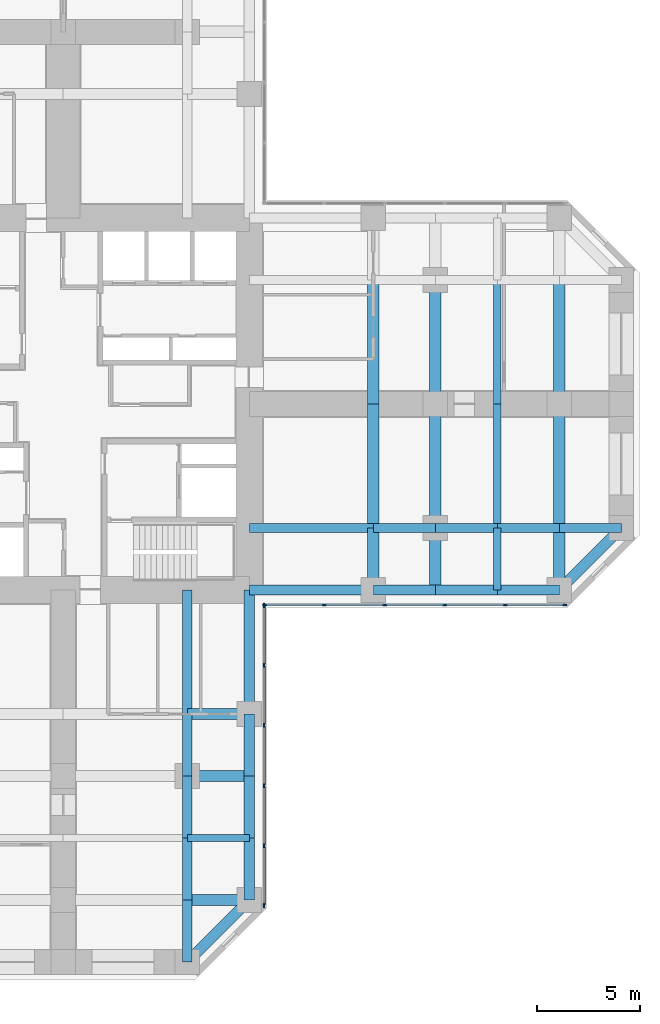
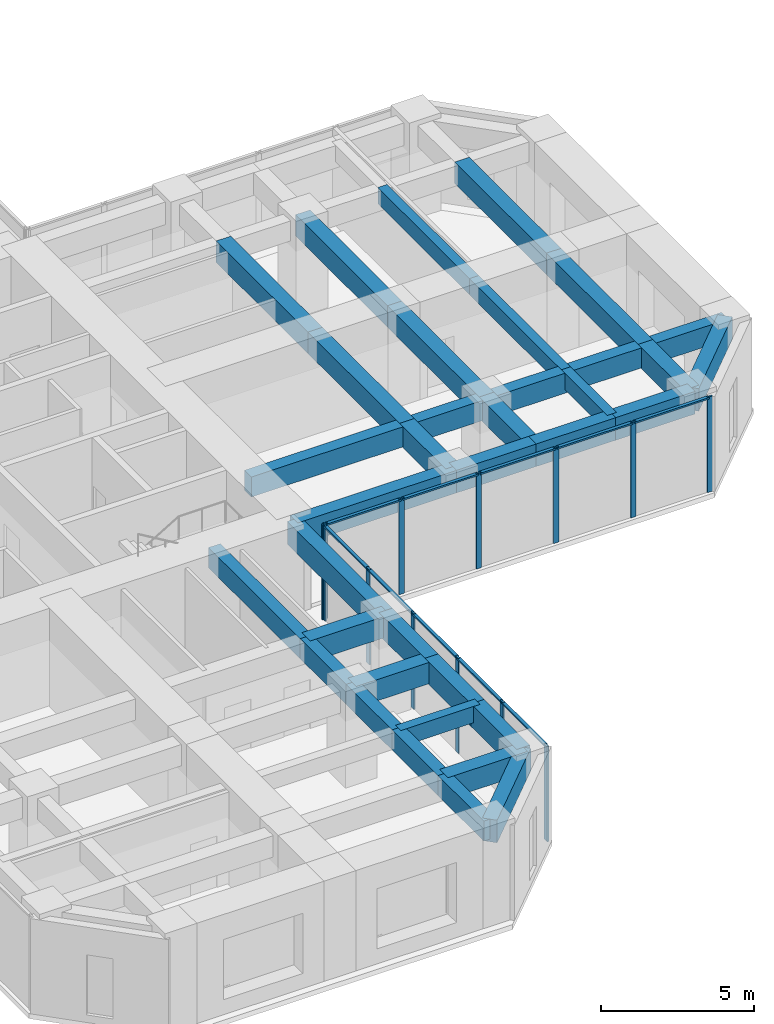
# One storey, part 4 of 12: 36 beams, 22 members, 2 elements without a shape of their own.
"""IFC4 building model written with IfcOpenShell, lengths in metres."""

from ifc_helpers import new_model, si_unit, direction, frame, origin, origin_2d, place, context, subcontext, project, spatial, rectangle, extrude, material, material_profile, profile_set, type_object, element, aggregate, save


model = new_model("IFC4")

# Units and contexts
model_context = context("Model", 3, precision=1e-05, world=origin(), true_north=direction((0.0, 1.0)))
body_context = subcontext(model_context, "Body", "Model", "MODEL_VIEW")
ifc_project = project(units=[si_unit("LENGTHUNIT", "METRE"), si_unit("AREAUNIT", "SQUARE_METRE"), si_unit("VOLUMEUNIT", "CUBIC_METRE"), si_unit("PLANEANGLEUNIT", "RADIAN"), si_unit("MASSUNIT", "GRAM", prefix="KILO")], contexts=[model_context])

# Site, building, storey
site_placement = place(None, origin())
site = spatial("IfcSite", under=ifc_project, at=site_placement, CompositionType="ELEMENT")
building_placement = place(site_placement, origin())
building = spatial("IfcBuilding", under=site, at=building_placement, Name="Torre Cruceta", CompositionType="ELEMENT")
storey_placement = place(building_placement, frame((0.0, 0.0, 59.5)))
storey = spatial("IfcBuildingStorey", under=building, at=storey_placement, Name="L14", CompositionType="ELEMENT", Elevation=59.5)

# Beams
ifc_material_1 = material(Name="Concrete G60 (fck 60 MPa)", Category="concrete")
ifc_material_profile_1 = material_profile(ifc_material_1, rectangle(XDim=0.449951171875, YDim=0.800048828125, at=origin_2d()), Name="RC 450X800")
ifc_profile_set_1 = profile_set([ifc_material_profile_1], Name="Concrete G60 (fck 60 MPa)")
beam_type_1 = type_object("IfcBeamType", Name="COLUMN LINE BEAM RC 450X800", PredefinedType="BEAM", material=ifc_profile_set_1)
beam_1_placement = place(storey_placement, frame((9.0, -6.0, 3.39990234375), z_axis=(1.0, 0.0, 0.0), x_axis=(0.0, 1.0, 0.0)))
element("IfcBeam", 1, at=beam_1_placement, inside=storey, type_object=beam_type_1, Name="LB1 L14 E col- 1", PredefinedType="BEAM", context=body_context, shape_type="SweptSolid", body=[
    extrude(rectangle(XDim=0.449951171875, YDim=0.800048828125, at=origin_2d()), origin(), (0.0, 0.0, 1.0), 6.0),
])
for number, where, z_axis, x_axis, name in (
    (2, (15.0, -6.0, 3.39990234375), (1.0, 0.0, 0.0), (0.0, 1.0, 0.0), "LB1 L14 E col- 2"),
    (3, (18.0, -6.0, 3.39990234375), (1.0, 0.0, 0.0), (0.0, 1.0, 0.0), "LB1 L14 E col- 3"),
    (4, (21.0, -6.0, 3.39990234375), (1.0, 0.0, 0.0), (0.0, 1.0, 0.0), "LB1 L14 E col- 4"),
    (5, (24.0, -6.0, 3.39990234375), (1.0, 0.0, 0.0), (0.0, 1.0, 0.0), "LB1 L14 E col- 5"),
):
    element("IfcBeam", number, at=place(storey_placement, frame(where, z_axis=z_axis, x_axis=x_axis)), inside=storey, type_object=beam_type_1, Name=name, PredefinedType="BEAM", context=body_context, shape_type="SweptSolid", body=[
        extrude(rectangle(XDim=0.449951171875, YDim=0.800048828125, at=origin_2d()), origin(), (0.0, 0.0, 1.0), 3.0),
    ])
beam_2_placement = place(storey_placement, frame((6.0, -9.0, 3.39990234375), z_axis=(0.0, -1.0, 0.0), x_axis=(1.0, 0.0, 0.0)))
element("IfcBeam", 6, at=beam_2_placement, inside=storey, type_object=beam_type_1, Name="LB1 L14 S col+ 1", PredefinedType="BEAM", context=body_context, shape_type="SweptSolid", body=[
    extrude(rectangle(XDim=0.449951171875, YDim=0.800048828125, at=origin_2d()), origin(), (0.0, 0.0, 1.0), 6.0),
])
for number, where, z_axis, x_axis, name in (
    (7, (6.0, -15.0, 3.39990234375), (0.0, -1.0, 0.0), (1.0, 0.0, 0.0), "LB1 L14 S col+ 2"),
    (8, (6.0, -18.0, 3.39990234375), (0.0, -1.0, 0.0), (1.0, 0.0, 0.0), "LB1 L14 S col+ 3"),
    (9, (6.0, -21.0, 3.39990234375), (0.0, -1.0, 0.0), (1.0, 0.0, 0.0), "LB1 L14 S col+ 4"),
    (10, (6.0, -24.0, 3.39990234375), (0.0, -1.0, 0.0), (1.0, 0.0, 0.0), "LB1 L14 S col+ 5"),
):
    element("IfcBeam", number, at=place(storey_placement, frame(where, z_axis=z_axis, x_axis=x_axis)), inside=storey, type_object=beam_type_1, Name=name, PredefinedType="BEAM", context=body_context, shape_type="SweptSolid", body=[
        extrude(rectangle(XDim=0.449951171875, YDim=0.800048828125, at=origin_2d()), origin(), (0.0, 0.0, 1.0), 3.0),
    ])
ifc_material_2 = material(Name="Concrete G60 (fck 60 MPa)", Category="concrete")
ifc_material_profile_2 = material_profile(ifc_material_2, rectangle(XDim=0.550048828125, YDim=0.85009765625, at=origin_2d()), Name="RC 550X850")
ifc_profile_set_2 = profile_set([ifc_material_profile_2], Name="Concrete G60 (fck 60 MPa)")
beam_type_2 = type_object("IfcBeamType", Name="CROSS BEAM RC 550X850", PredefinedType="BEAM", material=ifc_profile_set_2)
beam_3_placement = place(storey_placement, frame((15.0, -9.0, 3.375), z_axis=(0.0, 1.0, 0.0), x_axis=(-1.0, 0.0, 0.0)))
element("IfcBeam", 11, at=beam_3_placement, inside=storey, type_object=beam_type_2, Name="GB4 L14 E cross15 1", PredefinedType="BEAM", context=body_context, shape_type="SweptSolid", body=[
    extrude(rectangle(XDim=0.550048828125, YDim=0.85009765625, at=origin_2d()), origin(), (0.0, 0.0, 1.0), 3.0),
])
for number, where, z_axis, x_axis, name in (
    (12, (15.0, -6.0, 3.375), (0.0, 1.0, 0.0), (-1.0, 0.0, 0.0), "GB4 L14 E cross15 2"),
    (13, (15.0, 0.0, 3.375), (0.0, 1.0, 0.0), (-1.0, 0.0, 0.0), "GB4 L14 E cross15 3"),
):
    element("IfcBeam", number, at=place(storey_placement, frame(where, z_axis=z_axis, x_axis=x_axis)), inside=storey, type_object=beam_type_2, Name=name, PredefinedType="BEAM", context=body_context, shape_type="SweptSolid", body=[
        extrude(rectangle(XDim=0.550048828125, YDim=0.85009765625, at=origin_2d()), origin(), (0.0, 0.0, 1.0), 6.0),
    ])
beam_4_placement = place(storey_placement, frame((18.0, -9.0, 3.375), z_axis=(0.0, 1.0, 0.0), x_axis=(-1.0, 0.0, 0.0)))
element("IfcBeam", 14, at=beam_4_placement, inside=storey, type_object=beam_type_2, Name="GB4 L14 E cross18 1", PredefinedType="BEAM", context=body_context, shape_type="SweptSolid", body=[
    extrude(rectangle(XDim=0.550048828125, YDim=0.85009765625, at=origin_2d()), origin(), (0.0, 0.0, 1.0), 3.0),
])
for number, where, z_axis, x_axis, name in (
    (15, (18.0, -6.0, 3.375), (0.0, 1.0, 0.0), (-1.0, 0.0, 0.0), "GB4 L14 E cross18 2"),
    (16, (18.0, 0.0, 3.375), (0.0, 1.0, 0.0), (-1.0, 0.0, 0.0), "GB4 L14 E cross18 3"),
):
    element("IfcBeam", number, at=place(storey_placement, frame(where, z_axis=z_axis, x_axis=x_axis)), inside=storey, type_object=beam_type_2, Name=name, PredefinedType="BEAM", context=body_context, shape_type="SweptSolid", body=[
        extrude(rectangle(XDim=0.550048828125, YDim=0.85009765625, at=origin_2d()), origin(), (0.0, 0.0, 1.0), 6.0),
    ])
beam_5_placement = place(storey_placement, frame((24.0, -9.0, 3.375), z_axis=(0.0, 1.0, 0.0), x_axis=(-1.0, 0.0, 0.0)))
element("IfcBeam", 17, at=beam_5_placement, inside=storey, type_object=beam_type_2, Name="GB4 L14 E cross24 1", PredefinedType="BEAM", context=body_context, shape_type="SweptSolid", body=[
    extrude(rectangle(XDim=0.550048828125, YDim=0.85009765625, at=origin_2d()), origin(), (0.0, 0.0, 1.0), 3.0),
])
for number, where, z_axis, x_axis, name in (
    (18, (24.0, -6.0, 3.375), (0.0, 1.0, 0.0), (-1.0, 0.0, 0.0), "GB4 L14 E cross24 2"),
    (19, (24.0, 0.0, 3.375), (0.0, 1.0, 0.0), (-1.0, 0.0, 0.0), "GB4 L14 E cross24 3"),
):
    element("IfcBeam", number, at=place(storey_placement, frame(where, z_axis=z_axis, x_axis=x_axis)), inside=storey, type_object=beam_type_2, Name=name, PredefinedType="BEAM", context=body_context, shape_type="SweptSolid", body=[
        extrude(rectangle(XDim=0.550048828125, YDim=0.85009765625, at=origin_2d()), origin(), (0.0, 0.0, 1.0), 6.0),
    ])
for number, where, z_axis, x_axis, name in (
    (20, (6.0, -15.0, 3.375), (1.0, 0.0, 0.0), (0.0, 1.0, 0.0), "GB4 L14 S cross15 4"),
    (21, (6.0, -18.0, 3.375), (1.0, 0.0, 0.0), (0.0, 1.0, 0.0), "GB4 L14 S cross18 4"),
    (22, (6.0, -24.0, 3.375), (1.0, 0.0, 0.0), (0.0, 1.0, 0.0), "GB4 L14 S cross24 4"),
):
    element("IfcBeam", number, at=place(storey_placement, frame(where, z_axis=z_axis, x_axis=x_axis)), inside=storey, type_object=beam_type_2, Name=name, PredefinedType="BEAM", context=body_context, shape_type="SweptSolid", body=[
        extrude(rectangle(XDim=0.550048828125, YDim=0.85009765625, at=origin_2d()), origin(), (0.0, 0.0, 1.0), 3.0),
    ])

# Curtain wall, members
ifc_material_3 = material(Name="Aluminium unitised curtain wall", Category="aluminium")
curtain_wall_type = type_object("IfcCurtainWallType", Name="CURTAIN WALL CW-A OFFICE LOW RISE", PredefinedType="USERDEFINED", material=ifc_material_3)
curtain_wall_1_placement = place(storey_placement, origin())
curtain_wall_1 = element("IfcCurtainWall", 23, at=curtain_wall_1_placement, inside=storey, type_object=curtain_wall_type, Name="CW-A L14 E side 00", ObjectType="UNITISED", PredefinedType="USERDEFINED")
ifc_material_4 = material(Name="Aluminium mullion", Category="aluminium")
ifc_material_profile_3 = material_profile(ifc_material_4, rectangle(XDim=0.06494140625, YDim=0.199951171875, at=origin_2d()), Name="AL 65X200")
ifc_profile_set_3 = profile_set([ifc_material_profile_3], Name="Aluminium mullion")
member_type_1 = type_object("IfcMemberType", Name="CW-A MULLION 65X200", PredefinedType="MULLION", material=ifc_profile_set_3)
member_1_placement = place(storey_placement, frame((9.75244140625, -9.719970703125, 0.0), z_axis=(0.0, 0.0, 1.0), x_axis=(0.0, 1.0, 0.0)))
member_1 = element("IfcMember", 24, at=member_1_placement, type_object=member_type_1, Name="CW-A mullion 1", PredefinedType="MULLION", context=body_context, shape_type="SweptSolid", body=[
    extrude(rectangle(XDim=0.06494140625, YDim=0.199951171875, at=origin_2d()), origin(), (0.0, 0.0, 1.0), 3.800048828125),
])
member_2_placement = place(storey_placement, frame((12.6357421875, -9.719970703125, 0.0), z_axis=(0.0, 0.0, 1.0), x_axis=(0.0, 1.0, 0.0)))
member_2 = element("IfcMember", 25, at=member_2_placement, type_object=member_type_1, Name="CW-A mullion 2", PredefinedType="MULLION", context=body_context, shape_type="SweptSolid", body=[
    extrude(rectangle(XDim=0.06494140625, YDim=0.199951171875, at=origin_2d()), origin(), (0.0, 0.0, 1.0), 3.800048828125),
])
member_3_placement = place(storey_placement, frame((15.55126953125, -9.719970703125, 0.0), z_axis=(0.0, 0.0, 1.0), x_axis=(0.0, 1.0, 0.0)))
member_3 = element("IfcMember", 26, at=member_3_placement, type_object=member_type_1, Name="CW-A mullion 3", PredefinedType="MULLION", context=body_context, shape_type="SweptSolid", body=[
    extrude(rectangle(XDim=0.06494140625, YDim=0.199951171875, at=origin_2d()), origin(), (0.0, 0.0, 1.0), 3.800048828125),
])
member_4_placement = place(storey_placement, frame((18.467041015625, -9.719970703125, 0.0), z_axis=(0.0, 0.0, 1.0), x_axis=(0.0, 1.0, 0.0)))
member_4 = element("IfcMember", 27, at=member_4_placement, type_object=member_type_1, Name="CW-A mullion 4", PredefinedType="MULLION", context=body_context, shape_type="SweptSolid", body=[
    extrude(rectangle(XDim=0.06494140625, YDim=0.199951171875, at=origin_2d()), origin(), (0.0, 0.0, 1.0), 3.800048828125),
])
member_5_placement = place(storey_placement, frame((21.382568359375, -9.719970703125, 0.0), z_axis=(0.0, 0.0, 1.0), x_axis=(0.0, 1.0, 0.0)))
member_5 = element("IfcMember", 28, at=member_5_placement, type_object=member_type_1, Name="CW-A mullion 5", PredefinedType="MULLION", context=body_context, shape_type="SweptSolid", body=[
    extrude(rectangle(XDim=0.06494140625, YDim=0.199951171875, at=origin_2d()), origin(), (0.0, 0.0, 1.0), 3.800048828125),
])
member_6_placement = place(storey_placement, frame((24.265625, -9.719970703125, 0.0), z_axis=(0.0, 0.0, 1.0), x_axis=(0.0, 1.0, 0.0)))
member_6 = element("IfcMember", 29, at=member_6_placement, type_object=member_type_1, Name="CW-A mullion 6", PredefinedType="MULLION", context=body_context, shape_type="SweptSolid", body=[
    extrude(rectangle(XDim=0.06494140625, YDim=0.199951171875, at=origin_2d()), origin(), (0.0, 0.0, 1.0), 3.800048828125),
])

curtain_wall_2_placement = place(storey_placement, origin())
curtain_wall_2 = element("IfcCurtainWall", 30, at=curtain_wall_2_placement, inside=storey, type_object=curtain_wall_type, Name="CW-A L14 S side 19", ObjectType="UNITISED", PredefinedType="USERDEFINED")
member_7_placement = place(storey_placement, frame((9.719970703125, -24.265625, 0.0), z_axis=(0.0, 0.0, 1.0), x_axis=(-1.0, 0.0, 0.0)))
member_7 = element("IfcMember", 31, at=member_7_placement, type_object=member_type_1, Name="CW-A mullion 1", PredefinedType="MULLION", context=body_context, shape_type="SweptSolid", body=[
    extrude(rectangle(XDim=0.06494140625, YDim=0.199951171875, at=origin_2d()), origin(), (0.0, 0.0, 1.0), 3.800048828125),
])
member_8_placement = place(storey_placement, frame((9.719970703125, -21.382568359375, 0.0), z_axis=(0.0, 0.0, 1.0), x_axis=(-1.0, 0.0, 0.0)))
member_8 = element("IfcMember", 32, at=member_8_placement, type_object=member_type_1, Name="CW-A mullion 2", PredefinedType="MULLION", context=body_context, shape_type="SweptSolid", body=[
    extrude(rectangle(XDim=0.06494140625, YDim=0.199951171875, at=origin_2d()), origin(), (0.0, 0.0, 1.0), 3.800048828125),
])
member_9_placement = place(storey_placement, frame((9.719970703125, -18.467041015625, 0.0), z_axis=(0.0, 0.0, 1.0), x_axis=(-1.0, 0.0, 0.0)))
member_9 = element("IfcMember", 33, at=member_9_placement, type_object=member_type_1, Name="CW-A mullion 3", PredefinedType="MULLION", context=body_context, shape_type="SweptSolid", body=[
    extrude(rectangle(XDim=0.06494140625, YDim=0.199951171875, at=origin_2d()), origin(), (0.0, 0.0, 1.0), 3.800048828125),
])
member_10_placement = place(storey_placement, frame((9.719970703125, -15.55126953125, 0.0), z_axis=(0.0, 0.0, 1.0), x_axis=(-1.0, 0.0, 0.0)))
member_10 = element("IfcMember", 34, at=member_10_placement, type_object=member_type_1, Name="CW-A mullion 4", PredefinedType="MULLION", context=body_context, shape_type="SweptSolid", body=[
    extrude(rectangle(XDim=0.06494140625, YDim=0.199951171875, at=origin_2d()), origin(), (0.0, 0.0, 1.0), 3.800048828125),
])
member_11_placement = place(storey_placement, frame((9.719970703125, -12.6357421875, 0.0), z_axis=(0.0, 0.0, 1.0), x_axis=(-1.0, 0.0, 0.0)))
member_11 = element("IfcMember", 35, at=member_11_placement, type_object=member_type_1, Name="CW-A mullion 5", PredefinedType="MULLION", context=body_context, shape_type="SweptSolid", body=[
    extrude(rectangle(XDim=0.06494140625, YDim=0.199951171875, at=origin_2d()), origin(), (0.0, 0.0, 1.0), 3.800048828125),
])
member_12_placement = place(storey_placement, frame((9.719970703125, -9.75244140625, 0.0), z_axis=(0.0, 0.0, 1.0), x_axis=(-1.0, 0.0, 0.0)))
member_12 = element("IfcMember", 36, at=member_12_placement, type_object=member_type_1, Name="CW-A mullion 6", PredefinedType="MULLION", context=body_context, shape_type="SweptSolid", body=[
    extrude(rectangle(XDim=0.06494140625, YDim=0.199951171875, at=origin_2d()), origin(), (0.0, 0.0, 1.0), 3.800048828125),
])

# Member
ifc_material_5 = material(Name="Aluminium transom", Category="aluminium")
ifc_material_profile_4 = material_profile(ifc_material_5, rectangle(XDim=0.1201171875, YDim=0.06494140625, at=origin_2d()), Name="AL 120X65")
ifc_profile_set_4 = profile_set([ifc_material_profile_4], Name="Aluminium transom")
member_type_2 = type_object("IfcMemberType", Name="CW-A TRANSOM 65X120", PredefinedType="USERDEFINED", material=ifc_profile_set_4)
member_13_placement = place(storey_placement, frame((9.784912109375, -9.719970703125, 3.767578125), z_axis=(1.0, 0.0, 0.0), x_axis=(0.0, 1.0, 0.0)))
member_13 = element("IfcMember", 37, at=member_13_placement, type_object=member_type_2, Name="CW-A transom 1", ObjectType="TRANSOM", PredefinedType="USERDEFINED", context=body_context, shape_type="SweptSolid", body=[
    extrude(rectangle(XDim=0.1201171875, YDim=0.06494140625, at=origin_2d()), origin(), (0.0, 0.0, 1.0), 2.818115234375),
])

member_14_placement = place(storey_placement, frame((12.668212890625, -9.719970703125, 3.767578125), z_axis=(1.0, 0.0, 0.0), x_axis=(0.0, 1.0, 0.0)))
member_14 = element("IfcMember", 38, at=member_14_placement, type_object=member_type_2, Name="CW-A transom 2", ObjectType="TRANSOM", PredefinedType="USERDEFINED", context=body_context, shape_type="SweptSolid", body=[
    extrude(rectangle(XDim=0.1201171875, YDim=0.06494140625, at=origin_2d()), origin(), (0.0, 0.0, 1.0), 2.8505859375),
])

member_15_placement = place(storey_placement, frame((15.583740234375, -9.719970703125, 3.767578125), z_axis=(1.0, 0.0, 0.0), x_axis=(0.0, 1.0, 0.0)))
member_15 = element("IfcMember", 39, at=member_15_placement, type_object=member_type_2, Name="CW-A transom 3", ObjectType="TRANSOM", PredefinedType="USERDEFINED", context=body_context, shape_type="SweptSolid", body=[
    extrude(rectangle(XDim=0.1201171875, YDim=0.06494140625, at=origin_2d()), origin(), (0.0, 0.0, 1.0), 2.8505859375),
])

member_16_placement = place(storey_placement, frame((18.49951171875, -9.719970703125, 3.767578125), z_axis=(1.0, 0.0, 0.0), x_axis=(0.0, 1.0, 0.0)))
member_16 = element("IfcMember", 40, at=member_16_placement, type_object=member_type_2, Name="CW-A transom 4", ObjectType="TRANSOM", PredefinedType="USERDEFINED", context=body_context, shape_type="SweptSolid", body=[
    extrude(rectangle(XDim=0.1201171875, YDim=0.06494140625, at=origin_2d()), origin(), (0.0, 0.0, 1.0), 2.8505859375),
])

member_17_placement = place(storey_placement, frame((21.4150390625, -9.719970703125, 3.767578125), z_axis=(1.0, 0.0, 0.0), x_axis=(0.0, 1.0, 0.0)))
member_17 = element("IfcMember", 41, at=member_17_placement, type_object=member_type_2, Name="CW-A transom 5", ObjectType="TRANSOM", PredefinedType="USERDEFINED", context=body_context, shape_type="SweptSolid", body=[
    extrude(rectangle(XDim=0.1201171875, YDim=0.06494140625, at=origin_2d()), origin(), (0.0, 0.0, 1.0), 2.818115234375),
])

aggregate(curtain_wall_1, [member_1, member_2, member_3, member_4, member_5, member_6, member_13, member_14, member_15, member_16, member_17])

member_18_placement = place(storey_placement, frame((9.719970703125, -24.233154296875, 3.767578125), z_axis=(0.0, 1.0, 0.0), x_axis=(-1.0, 0.0, 0.0)))
member_18 = element("IfcMember", 42, at=member_18_placement, type_object=member_type_2, Name="CW-A transom 1", ObjectType="TRANSOM", PredefinedType="USERDEFINED", context=body_context, shape_type="SweptSolid", body=[
    extrude(rectangle(XDim=0.1201171875, YDim=0.06494140625, at=origin_2d()), origin(), (0.0, 0.0, 1.0), 2.818115234375),
])

member_19_placement = place(storey_placement, frame((9.719970703125, -21.35009765625, 3.767578125), z_axis=(0.0, 1.0, 0.0), x_axis=(-1.0, 0.0, 0.0)))
member_19 = element("IfcMember", 43, at=member_19_placement, type_object=member_type_2, Name="CW-A transom 2", ObjectType="TRANSOM", PredefinedType="USERDEFINED", context=body_context, shape_type="SweptSolid", body=[
    extrude(rectangle(XDim=0.1201171875, YDim=0.06494140625, at=origin_2d()), origin(), (0.0, 0.0, 1.0), 2.8505859375),
])

member_20_placement = place(storey_placement, frame((9.719970703125, -18.434326171875, 3.767578125), z_axis=(0.0, 1.0, 0.0), x_axis=(-1.0, 0.0, 0.0)))
member_20 = element("IfcMember", 44, at=member_20_placement, type_object=member_type_2, Name="CW-A transom 3", ObjectType="TRANSOM", PredefinedType="USERDEFINED", context=body_context, shape_type="SweptSolid", body=[
    extrude(rectangle(XDim=0.1201171875, YDim=0.06494140625, at=origin_2d()), origin(), (0.0, 0.0, 1.0), 2.8505859375),
])

member_21_placement = place(storey_placement, frame((9.719970703125, -15.518798828125, 3.767578125), z_axis=(0.0, 1.0, 0.0), x_axis=(-1.0, 0.0, 0.0)))
member_21 = element("IfcMember", 45, at=member_21_placement, type_object=member_type_2, Name="CW-A transom 4", ObjectType="TRANSOM", PredefinedType="USERDEFINED", context=body_context, shape_type="SweptSolid", body=[
    extrude(rectangle(XDim=0.1201171875, YDim=0.06494140625, at=origin_2d()), origin(), (0.0, 0.0, 1.0), 2.8505859375),
])

member_22_placement = place(storey_placement, frame((9.719970703125, -12.60302734375, 3.767578125), z_axis=(0.0, 1.0, 0.0), x_axis=(-1.0, 0.0, 0.0)))
member_22 = element("IfcMember", 46, at=member_22_placement, type_object=member_type_2, Name="CW-A transom 5", ObjectType="TRANSOM", PredefinedType="USERDEFINED", context=body_context, shape_type="SweptSolid", body=[
    extrude(rectangle(XDim=0.1201171875, YDim=0.06494140625, at=origin_2d()), origin(), (0.0, 0.0, 1.0), 2.818115234375),
])

aggregate(curtain_wall_2, [member_7, member_8, member_9, member_10, member_11, member_12, member_18, member_19, member_20, member_21, member_22])

# Beams
ifc_material_6 = material(Name="Concrete G60 (fck 60 MPa)", Category="concrete")
ifc_material_profile_5 = material_profile(ifc_material_6, rectangle(XDim=0.35009765625, YDim=0.64990234375, at=origin_2d()), Name="RC 350X650")
ifc_profile_set_5 = profile_set([ifc_material_profile_5], Name="Concrete G60 (fck 60 MPa)")
beam_type_3 = type_object("IfcBeamType", Name="SECONDARY BEAM RC 350X650", PredefinedType="JOIST", material=ifc_profile_set_5)
beam_6_placement = place(storey_placement, frame((21.0, -9.0, 3.47509765625), z_axis=(0.0, 1.0, 0.0), x_axis=(-1.0, 0.0, 0.0)))
element("IfcBeam", 47, at=beam_6_placement, inside=storey, type_object=beam_type_3, Name="JB3 L14 E sec21 1", PredefinedType="JOIST", context=body_context, shape_type="SweptSolid", body=[
    extrude(rectangle(XDim=0.35009765625, YDim=0.64990234375, at=origin_2d()), origin(), (0.0, 0.0, 1.0), 3.0),
])
for number, where, z_axis, x_axis, name in (
    (48, (21.0, -6.0, 3.47509765625), (0.0, 1.0, 0.0), (-1.0, 0.0, 0.0), "JB3 L14 E sec21 2"),
    (49, (21.0, 0.0, 3.47509765625), (0.0, 1.0, 0.0), (-1.0, 0.0, 0.0), "JB3 L14 E sec21 3"),
):
    element("IfcBeam", number, at=place(storey_placement, frame(where, z_axis=z_axis, x_axis=x_axis)), inside=storey, type_object=beam_type_3, Name=name, PredefinedType="JOIST", context=body_context, shape_type="SweptSolid", body=[
        extrude(rectangle(XDim=0.35009765625, YDim=0.64990234375, at=origin_2d()), origin(), (0.0, 0.0, 1.0), 6.0),
    ])
beam_7_placement = place(storey_placement, frame((6.0, -21.0, 3.47509765625), z_axis=(1.0, 0.0, 0.0), x_axis=(0.0, 1.0, 0.0)))
element("IfcBeam", 50, at=beam_7_placement, inside=storey, type_object=beam_type_3, Name="JB3 L14 S sec21 4", PredefinedType="JOIST", context=body_context, shape_type="SweptSolid", body=[
    extrude(rectangle(XDim=0.35009765625, YDim=0.64990234375, at=origin_2d()), origin(), (0.0, 0.0, 1.0), 3.0),
])
ifc_material_7 = material(Name="Concrete G60 (fck 60 MPa)", Category="concrete")
ifc_material_profile_6 = material_profile(ifc_material_7, rectangle(XDim=0.5, YDim=0.89990234375, at=origin_2d()), Name="RC 500X900")
ifc_profile_set_6 = profile_set([ifc_material_profile_6], Name="Concrete G60 (fck 60 MPa)")
beam_type_4 = type_object("IfcBeamType", Name="SPANDREL BEAM RC 500X900", PredefinedType="SPANDREL", material=ifc_profile_set_6)
beam_8_placement = place(storey_placement, frame((9.0, -9.0, 3.35009765625), z_axis=(1.0, 0.0, 0.0), x_axis=(0.0, 1.0, 0.0)))
element("IfcBeam", 51, at=beam_8_placement, inside=storey, type_object=beam_type_4, Name="SB4 L14 E side- 1", PredefinedType="SPANDREL", context=body_context, shape_type="SweptSolid", body=[
    extrude(rectangle(XDim=0.5, YDim=0.89990234375, at=origin_2d()), origin(), (0.0, 0.0, 1.0), 6.0),
])
for number, where, z_axis, x_axis, name in (
    (52, (15.0, -9.0, 3.35009765625), (1.0, 0.0, 0.0), (0.0, 1.0, 0.0), "SB4 L14 E side- 2"),
    (53, (18.0, -9.0, 3.35009765625), (1.0, 0.0, 0.0), (0.0, 1.0, 0.0), "SB4 L14 E side- 3"),
    (54, (21.0, -9.0, 3.35009765625), (1.0, 0.0, 0.0), (0.0, 1.0, 0.0), "SB4 L14 E side- 4"),
):
    element("IfcBeam", number, at=place(storey_placement, frame(where, z_axis=z_axis, x_axis=x_axis)), inside=storey, type_object=beam_type_4, Name=name, PredefinedType="SPANDREL", context=body_context, shape_type="SweptSolid", body=[
        extrude(rectangle(XDim=0.5, YDim=0.89990234375, at=origin_2d()), origin(), (0.0, 0.0, 1.0), 3.0),
    ])
beam_9_placement = place(storey_placement, frame((24.0, -9.0, 3.35009765625), z_axis=(0.707106781187, 0.707106781187, 0.0), x_axis=(-0.707106781187, 0.707106781187, 0.0)))
element("IfcBeam", 55, at=beam_9_placement, inside=storey, type_object=beam_type_4, Name="SB4 L14 E side- 5", PredefinedType="SPANDREL", context=body_context, shape_type="SweptSolid", body=[
    extrude(rectangle(XDim=0.5, YDim=0.89990234375, at=origin_2d()), origin(), (0.0, 0.0, 1.0), 4.24267578125),
])
beam_10_placement = place(storey_placement, frame((9.0, -9.0, 3.35009765625), z_axis=(0.0, -1.0, 0.0), x_axis=(1.0, 0.0, 0.0)))
element("IfcBeam", 56, at=beam_10_placement, inside=storey, type_object=beam_type_4, Name="SB4 L14 S side+ 1", PredefinedType="SPANDREL", context=body_context, shape_type="SweptSolid", body=[
    extrude(rectangle(XDim=0.5, YDim=0.89990234375, at=origin_2d()), origin(), (0.0, 0.0, 1.0), 6.0),
])
for number, where, z_axis, x_axis, name in (
    (57, (9.0, -15.0, 3.35009765625), (0.0, -1.0, 0.0), (1.0, 0.0, 0.0), "SB4 L14 S side+ 2"),
    (58, (9.0, -18.0, 3.35009765625), (0.0, -1.0, 0.0), (1.0, 0.0, 0.0), "SB4 L14 S side+ 3"),
    (59, (9.0, -21.0, 3.35009765625), (0.0, -1.0, 0.0), (1.0, 0.0, 0.0), "SB4 L14 S side+ 4"),
):
    element("IfcBeam", number, at=place(storey_placement, frame(where, z_axis=z_axis, x_axis=x_axis)), inside=storey, type_object=beam_type_4, Name=name, PredefinedType="SPANDREL", context=body_context, shape_type="SweptSolid", body=[
        extrude(rectangle(XDim=0.5, YDim=0.89990234375, at=origin_2d()), origin(), (0.0, 0.0, 1.0), 3.0),
    ])
beam_11_placement = place(storey_placement, frame((9.0, -24.0, 3.35009765625), z_axis=(-0.707106781187, -0.707106781187, 0.0), x_axis=(0.707106781187, -0.707106781187, 0.0)))
element("IfcBeam", 60, at=beam_11_placement, inside=storey, type_object=beam_type_4, Name="SB4 L14 S side+ 5", PredefinedType="SPANDREL", context=body_context, shape_type="SweptSolid", body=[
    extrude(rectangle(XDim=0.5, YDim=0.89990234375, at=origin_2d()), origin(), (0.0, 0.0, 1.0), 4.24267578125),
])

save(model, "model.ifc")
